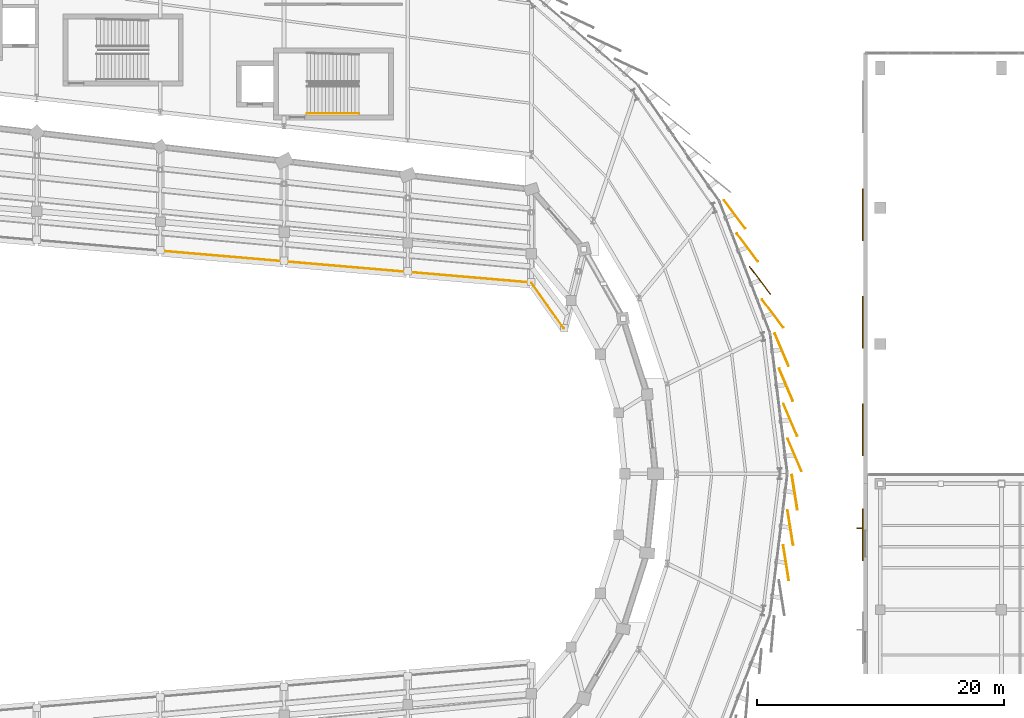
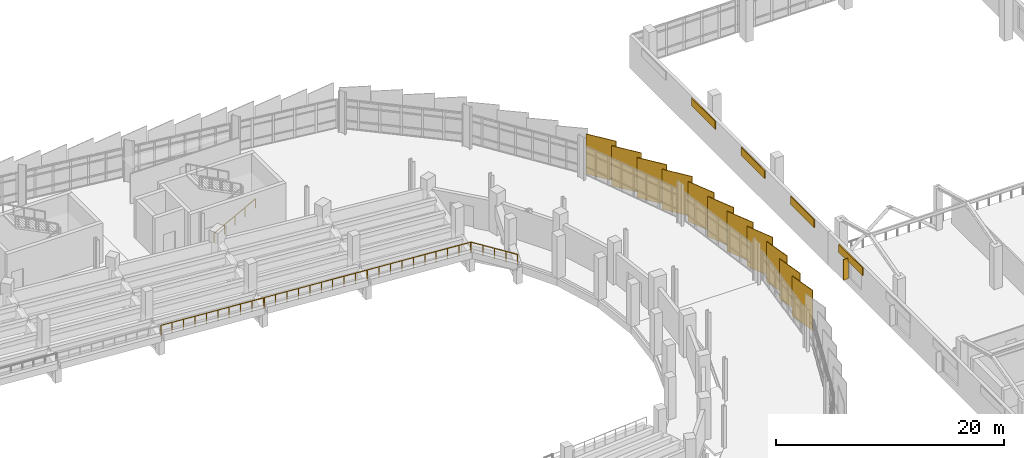
# One storey, part 118 of 120: 15 coverings, 5 railings, 1 shading device.
"""IFC4 building model written with IfcOpenShell, lengths in metres."""

from ifc_helpers import new_model, si_unit, direction, frame, origin, origin_2d, place, context, subcontext, project, spatial, rectangle, circle, extrude, material, layer, layer_set, type_object, element, save


model = new_model("IFC4")

# Units and contexts
model_context = context("Model", 3, precision=1e-05, world=origin(), true_north=direction((0.0, 1.0)))
body_context = subcontext(model_context, "Body", "Model", "MODEL_VIEW")
ifc_project = project(units=[si_unit("LENGTHUNIT", "METRE"), si_unit("AREAUNIT", "SQUARE_METRE"), si_unit("VOLUMEUNIT", "CUBIC_METRE"), si_unit("PLANEANGLEUNIT", "RADIAN"), si_unit("MASSUNIT", "GRAM", prefix="KILO")], contexts=[model_context])

# Site, building, storey
site_placement = place(None, origin())
site = spatial("IfcSite", under=ifc_project, at=site_placement, CompositionType="ELEMENT")
building_placement = place(site_placement, origin())
building = spatial("IfcBuilding", under=site, at=building_placement, Name="Sohan Crest Arena", CompositionType="ELEMENT")
storey_placement = place(building_placement, frame((0.0, 0.0, 13.5)))
storey = spatial("IfcBuildingStorey", under=building, at=storey_placement, Name="L03", CompositionType="ELEMENT", Elevation=13.5)

# Railings
ifc_material_1 = material(Name="Laminated glass and steel sightline guard", Category="steel")
railing_type_1 = type_object("IfcRailingType", Name="ARC-GRD-02", PredefinedType="GUARDRAIL", material=ifc_material_1)
railing_1_placement = place(storey_placement, frame((170.613037109375, 89.761962890625, 0.85009765625)))
element("IfcRailing", 1, at=railing_1_placement, inside=storey, type_object=railing_type_1, Name="Upper tier cantilevered sightline guard GRD-176", PredefinedType="GUARDRAIL", context=body_context, shape_type="SweptSolid", body=[
    extrude(circle(Radius=0.02392578125, at=origin_2d()), frame((0.0, 0.0, 1.1259765625), z_axis=(-0.578182149731, 0.815907716432, 0.0), x_axis=(-0.815907716432, -0.578182149731, 0.0)), (0.0, 0.0, 1.0), 4.479736328125),
    extrude(circle(Radius=0.02099609375, at=origin_2d()), origin(), (0.0, 0.0, 1.0), 1.101806640625),
    extrude(circle(Radius=0.02099609375, at=origin_2d()), frame((-0.6474609375, 0.913818359375, 0.0)), (0.0, 0.0, 1.0), 1.101806640625),
    extrude(circle(Radius=0.02099609375, at=origin_2d()), frame((-1.294921875, 1.82763671875, 0.0)), (0.0, 0.0, 1.0), 1.101806640625),
    extrude(circle(Radius=0.02099609375, at=origin_2d()), frame((-1.942626953125, 2.7412109375, 0.0)), (0.0, 0.0, 1.0), 1.101806640625),
    extrude(circle(Radius=0.02099609375, at=origin_2d()), frame((-2.590087890625, 3.655029296875, 0.0)), (0.0, 0.0, 1.0), 1.101806640625),
])
railing_2_placement = place(storey_placement, frame((167.9599609375, 93.452880859375, 0.85009765625)))
element("IfcRailing", 2, at=railing_2_placement, inside=storey, type_object=railing_type_1, Name="Upper tier cantilevered sightline guard GRD-177", PredefinedType="GUARDRAIL", context=body_context, shape_type="SweptSolid", body=[
    extrude(circle(Radius=0.02392578125, at=origin_2d()), frame((0.0, 0.0, 1.1259765625), z_axis=(-0.996339849936, 0.085480427173, 0.0), x_axis=(-0.085480427173, -0.996339849936, 0.0)), (0.0, 0.0, 1.0), 9.956298828125),
    extrude(circle(Radius=0.02099609375, at=origin_2d()), origin(), (0.0, 0.0, 1.0), 1.101806640625),
    extrude(circle(Radius=0.02099609375, at=origin_2d()), frame((-1.102294921875, 0.094482421875, 0.0)), (0.0, 0.0, 1.0), 1.101806640625),
    extrude(circle(Radius=0.02099609375, at=origin_2d()), frame((-2.204345703125, 0.189208984375, 0.0)), (0.0, 0.0, 1.0), 1.101806640625),
    extrude(circle(Radius=0.02099609375, at=origin_2d()), frame((-3.306640625, 0.28369140625, 0.0)), (0.0, 0.0, 1.0), 1.101806640625),
    extrude(circle(Radius=0.02099609375, at=origin_2d()), frame((-4.408935546875, 0.378173828125, 0.0)), (0.0, 0.0, 1.0), 1.101806640625),
    extrude(circle(Radius=0.02099609375, at=origin_2d()), frame((-5.510986328125, 0.472900390625, 0.0)), (0.0, 0.0, 1.0), 1.101806640625),
    extrude(circle(Radius=0.02099609375, at=origin_2d()), frame((-6.61328125, 0.5673828125, 0.0)), (0.0, 0.0, 1.0), 1.101806640625),
    extrude(circle(Radius=0.02099609375, at=origin_2d()), frame((-7.715576171875, 0.661865234375, 0.0)), (0.0, 0.0, 1.0), 1.101806640625),
    extrude(circle(Radius=0.02099609375, at=origin_2d()), frame((-8.817626953125, 0.756591796875, 0.0)), (0.0, 0.0, 1.0), 1.101806640625),
    extrude(circle(Radius=0.02099609375, at=origin_2d()), frame((-9.919921875, 0.85107421875, 0.0)), (0.0, 0.0, 1.0), 1.101806640625),
])
railing_3_placement = place(storey_placement, frame((157.9599609375, 94.31005859375, 0.85009765625)))
element("IfcRailing", 3, at=railing_3_placement, inside=storey, type_object=railing_type_1, Name="Upper tier cantilevered sightline guard GRD-178", PredefinedType="GUARDRAIL", context=body_context, shape_type="SweptSolid", body=[
    extrude(circle(Radius=0.02392578125, at=origin_2d()), frame((0.0, 0.0, 1.1259765625), z_axis=(-0.996341938042, 0.085456085206, 0.0), x_axis=(-0.085456085206, -0.996341938042, 0.0)), (0.0, 0.0, 1.0), 9.956298828125),
    extrude(circle(Radius=0.02099609375, at=origin_2d()), origin(), (0.0, 0.0, 1.0), 1.101806640625),
    extrude(circle(Radius=0.02099609375, at=origin_2d()), frame((-1.102294921875, 0.094482421875, 0.0)), (0.0, 0.0, 1.0), 1.101806640625),
    extrude(circle(Radius=0.02099609375, at=origin_2d()), frame((-2.204345703125, 0.18896484375, 0.0)), (0.0, 0.0, 1.0), 1.101806640625),
    extrude(circle(Radius=0.02099609375, at=origin_2d()), frame((-3.306640625, 0.28369140625, 0.0)), (0.0, 0.0, 1.0), 1.101806640625),
    extrude(circle(Radius=0.02099609375, at=origin_2d()), frame((-4.408935546875, 0.378173828125, 0.0)), (0.0, 0.0, 1.0), 1.101806640625),
    extrude(circle(Radius=0.02099609375, at=origin_2d()), frame((-5.510986328125, 0.47265625, 0.0)), (0.0, 0.0, 1.0), 1.101806640625),
    extrude(circle(Radius=0.02099609375, at=origin_2d()), frame((-6.61328125, 0.567138671875, 0.0)), (0.0, 0.0, 1.0), 1.101806640625),
    extrude(circle(Radius=0.02099609375, at=origin_2d()), frame((-7.715576171875, 0.661865234375, 0.0)), (0.0, 0.0, 1.0), 1.101806640625),
    extrude(circle(Radius=0.02099609375, at=origin_2d()), frame((-8.817626953125, 0.75634765625, 0.0)), (0.0, 0.0, 1.0), 1.101806640625),
    extrude(circle(Radius=0.02099609375, at=origin_2d()), frame((-9.919921875, 0.850830078125, 0.0)), (0.0, 0.0, 1.0), 1.101806640625),
])
railing_4_placement = place(storey_placement, frame((147.9599609375, 95.1669921875, 0.85009765625)))
element("IfcRailing", 4, at=railing_4_placement, inside=storey, type_object=railing_type_1, Name="Upper tier cantilevered sightline guard GRD-179", PredefinedType="GUARDRAIL", context=body_context, shape_type="SweptSolid", body=[
    extrude(circle(Radius=0.02392578125, at=origin_2d()), frame((0.0, 0.0, 1.1259765625), z_axis=(-0.996339849936, 0.085480427173, 0.0), x_axis=(-0.085480427173, -0.996339849936, 0.0)), (0.0, 0.0, 1.0), 9.956298828125),
    extrude(circle(Radius=0.02099609375, at=origin_2d()), origin(), (0.0, 0.0, 1.0), 1.101806640625),
    extrude(circle(Radius=0.02099609375, at=origin_2d()), frame((-1.102294921875, 0.094482421875, 0.0)), (0.0, 0.0, 1.0), 1.101806640625),
    extrude(circle(Radius=0.02099609375, at=origin_2d()), frame((-2.204345703125, 0.189208984375, 0.0)), (0.0, 0.0, 1.0), 1.101806640625),
    extrude(circle(Radius=0.02099609375, at=origin_2d()), frame((-3.306640625, 0.28369140625, 0.0)), (0.0, 0.0, 1.0), 1.101806640625),
    extrude(circle(Radius=0.02099609375, at=origin_2d()), frame((-4.408935546875, 0.378173828125, 0.0)), (0.0, 0.0, 1.0), 1.101806640625),
    extrude(circle(Radius=0.02099609375, at=origin_2d()), frame((-5.510986328125, 0.472900390625, 0.0)), (0.0, 0.0, 1.0), 1.101806640625),
    extrude(circle(Radius=0.02099609375, at=origin_2d()), frame((-6.61328125, 0.5673828125, 0.0)), (0.0, 0.0, 1.0), 1.101806640625),
    extrude(circle(Radius=0.02099609375, at=origin_2d()), frame((-7.715576171875, 0.661865234375, 0.0)), (0.0, 0.0, 1.0), 1.101806640625),
    extrude(circle(Radius=0.02099609375, at=origin_2d()), frame((-8.817626953125, 0.756591796875, 0.0)), (0.0, 0.0, 1.0), 1.101806640625),
    extrude(circle(Radius=0.02099609375, at=origin_2d()), frame((-9.919921875, 0.85107421875, 0.0)), (0.0, 0.0, 1.0), 1.101806640625),
])
ifc_material_2 = material(Name="Brushed stainless steel stair handrail", Category="steel")
railing_type_2 = type_object("IfcRailingType", Name="ARC-HR-01", PredefinedType="HANDRAIL", material=ifc_material_2)
railing_5_placement = place(storey_placement, frame((149.85009765625, 107.110107421875, 0.0)))
element("IfcRailing", 5, at=railing_5_placement, inside=storey, type_object=railing_type_2, Name="Stair pitch handrail HR-197", PredefinedType="HANDRAIL", context=body_context, shape_type="SweptSolid", body=[
    extrude(circle(Radius=0.02392578125, at=origin_2d()), frame((0.0, 0.0, 0.97607421875), z_axis=(0.881477684796, 0.0, 0.472225678258), x_axis=(0.0, 1.0, 0.0)), (0.0, 0.0, 1.0), 4.7646484375),
    extrude(circle(Radius=0.02099609375, at=origin_2d()), origin(), (0.0, 0.0, 1.0), 0.951904296875),
    extrude(circle(Radius=0.02099609375, at=origin_2d()), frame((1.050048828125, 0.0, 0.5625)), (0.0, 0.0, 1.0), 0.951904296875),
    extrude(circle(Radius=0.02099609375, at=origin_2d()), frame((2.10009765625, 0.0, 1.125)), (0.0, 0.0, 1.0), 0.951904296875),
    extrude(circle(Radius=0.02099609375, at=origin_2d()), frame((3.14990234375, 0.0, 1.6875)), (0.0, 0.0, 1.0), 0.951904296875),
    extrude(circle(Radius=0.02099609375, at=origin_2d()), frame((4.199951171875, 0.0, 2.25)), (0.0, 0.0, 1.0), 0.951904296875),
])

# Shading device
ifc_material_3 = material(Name="Glazed terracotta ceramic solar fin", Category="masonry")
ifc_layer_1 = layer(ifc_material_3, 0.070068359375, Name="Glazed terracotta ceramic solar fin")
ifc_layer_set_1 = layer_set([ifc_layer_1], Name="Glazed terracotta ceramic solar fin")
shading_device_type = type_object("IfcShadingDeviceType", Name="ARC-SHD-FIN1", PredefinedType="USERDEFINED", material=ifc_layer_set_1)
shading_device_placement = place(storey_placement, frame((194.56494140625, 73.580078125, 0.75), z_axis=(0.0, 0.0, 1.0), x_axis=(0.0, -1.0, 0.0)))
element("IfcShadingDevice", 6, at=shading_device_placement, inside=storey, type_object=shading_device_type, Name="Solar shading fin FIN-034", ObjectType="FIN", PredefinedType="USERDEFINED", context=body_context, shape_type="SweptSolid", body=[
    extrude(rectangle(XDim=0.070068359375, YDim=0.550048828125, at=origin_2d()), origin(), (0.0, 0.0, 1.0), 2.199951171875),
])

# Coverings
ifc_material_4 = material(Name="Honed dark basalt stone cladding", Category="masonry")
ifc_layer_2 = layer(ifc_material_4, 0.0849609375, Name="Honed dark basalt stone cladding")
ifc_layer_set_2 = layer_set([ifc_layer_2], Name="Honed dark basalt stone cladding")
covering_type_1 = type_object("IfcCoveringType", Name="COV-BAS", PredefinedType="CLADDING", material=ifc_layer_set_2)
for number, where, z_axis, x_axis, name in (
    (7, (194.79296875, 98.949951171875, 2.625), (0.0, 0.0, 1.0), (0.0, -1.0, 0.0), "Dark basalt facade panel DB-0850"),
    (8, (194.79296875, 90.25, 2.625), (0.0, 0.0, 1.0), (0.0, -1.0, 0.0), "Dark basalt facade panel DB-0851"),
    (9, (194.79296875, 81.550048828125, 2.625), (0.0, 0.0, 1.0), (0.0, -1.0, 0.0), "Dark basalt facade panel DB-0852"),
    (10, (194.79296875, 73.050048828125, 2.625), (0.0, 0.0, 1.0), (0.0, -1.0, 0.0), "Dark basalt facade panel DB-0853"),
):
    element("IfcCovering", number, at=place(storey_placement, frame(where, z_axis=z_axis, x_axis=x_axis)), inside=storey, type_object=covering_type_1, Name=name, PredefinedType="CLADDING", context=body_context, shape_type="SweptSolid", body=[
        extrude(rectangle(XDim=4.199951171875, YDim=0.0849609375, at=origin_2d()), origin(), (0.0, 0.0, 1.0), 0.85009765625),
    ])
ifc_material_5 = material(Name="Glazed ivory trencadis ceramic cladding", Category="masonry")
ifc_layer_3 = layer(ifc_material_5, 0.06494140625, Name="Glazed ivory trencadis ceramic cladding")
ifc_layer_set_3 = layer_set([ifc_layer_3], Name="Glazed ivory trencadis ceramic cladding")
covering_type_2 = type_object("IfcCoveringType", Name="COV-SC-IV", PredefinedType="CLADDING", material=ifc_layer_set_3)
for number, where, z_axis, x_axis, name in (
    (11, (188.5830078125, 70.81103515625, -0.2001953125), (0.0, 0.0, 1.0), (-0.15643446504, 0.987688340595, 0.0), "Rotated trencadis ceramic scale panel SC-0352"),
    (12, (188.931884765625, 73.64990234375, -0.2001953125), (0.0, 0.0, 1.0), (-0.15643446504, 0.987688340595, 0.0), "Rotated trencadis ceramic scale panel SC-0353"),
    (13, (189.281005859375, 79.511962890625, -0.2001953125), (0.0, 0.0, 1.0), (-0.390731128489, 0.920504853452, 0.0), "Rotated trencadis ceramic scale panel SC-0355"),
    (14, (188.931884765625, 82.35009765625, -0.2001953125), (0.0, 0.0, 1.0), (-0.390731128489, 0.920504853452, 0.0), "Rotated trencadis ceramic scale panel SC-0356"),
    (15, (188.235107421875, 88.027099609375, -0.2001953125), (0.0, 0.0, 1.0), (-0.390731128489, 0.920504853452, 0.0), "Rotated trencadis ceramic scale panel SC-0358"),
    (16, (187.5029296875, 90.9609375, -0.2001953125), (0.0, 0.0, 1.0), (-0.601815023152, 0.798635510047, 0.0), "Rotated trencadis ceramic scale panel SC-0359"),
    (17, (185.450927734375, 96.301025390625, -0.2001953125), (0.0, 0.0, 1.0), (-0.601815023152, 0.798635510047, 0.0), "Rotated trencadis ceramic scale panel SC-0361"),
    (18, (184.425048828125, 98.970947265625, -0.2001953125), (0.0, 0.0, 1.0), (-0.601815023152, 0.798635510047, 0.0), "Rotated trencadis ceramic scale panel SC-0362"),
):
    element("IfcCovering", number, at=place(storey_placement, frame(where, z_axis=z_axis, x_axis=x_axis)), inside=storey, type_object=covering_type_2, Name=name, PredefinedType="CLADDING", context=body_context, shape_type="SweptSolid", body=[
        extrude(rectangle(XDim=2.85009765625, YDim=0.06494140625, at=origin_2d()), origin(), (0.0, 0.0, 1.0), 4.300048828125),
    ])
ifc_material_6 = material(Name="Glazed terracotta trencadis ceramic cladding", Category="masonry")
ifc_layer_4 = layer(ifc_material_6, 0.074951171875, Name="Glazed terracotta trencadis ceramic cladding")
ifc_layer_set_4 = layer_set([ifc_layer_4], Name="Glazed terracotta trencadis ceramic cladding")
covering_type_3 = type_object("IfcCoveringType", Name="COV-SC-TC", PredefinedType="CLADDING", material=ifc_layer_set_4)
for number, where, z_axis, x_axis, name in (
    (19, (189.281005859375, 76.488037109375, -0.2001953125), (0.0, 0.0, 1.0), (-0.15643446504, 0.987688340595, 0.0), "Rotated trencadis ceramic scale panel SC-0354"),
    (20, (188.5830078125, 85.18896484375, -0.2001953125), (0.0, 0.0, 1.0), (-0.390731128489, 0.920504853452, 0.0), "Rotated trencadis ceramic scale panel SC-0357"),
    (21, (186.47705078125, 93.631103515625, -0.2001953125), (0.0, 0.0, 1.0), (-0.601815023152, 0.798635510047, 0.0), "Rotated trencadis ceramic scale panel SC-0360"),
):
    element("IfcCovering", number, at=place(storey_placement, frame(where, z_axis=z_axis, x_axis=x_axis)), inside=storey, type_object=covering_type_3, Name=name, PredefinedType="CLADDING", context=body_context, shape_type="SweptSolid", body=[
        extrude(rectangle(XDim=2.85009765625, YDim=0.074951171875, at=origin_2d()), origin(), (0.0, 0.0, 1.0), 4.300048828125),
    ])

save(model, "model.ifc")
